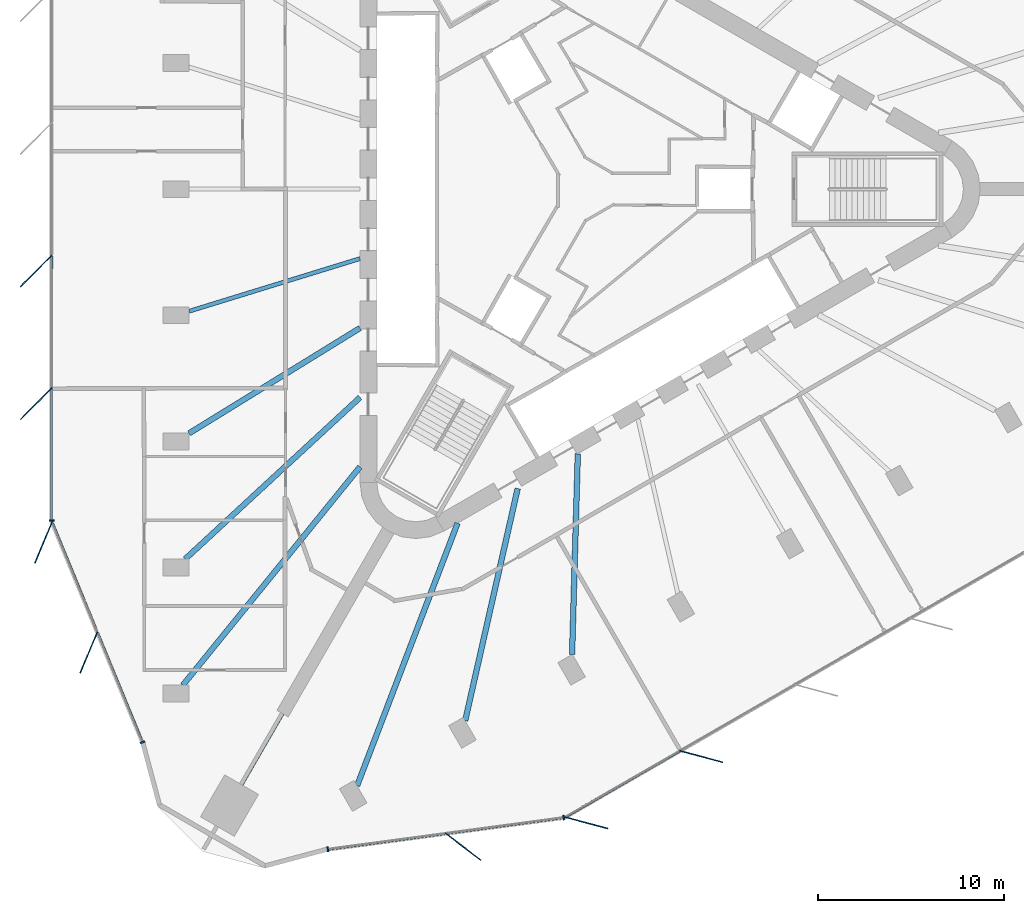
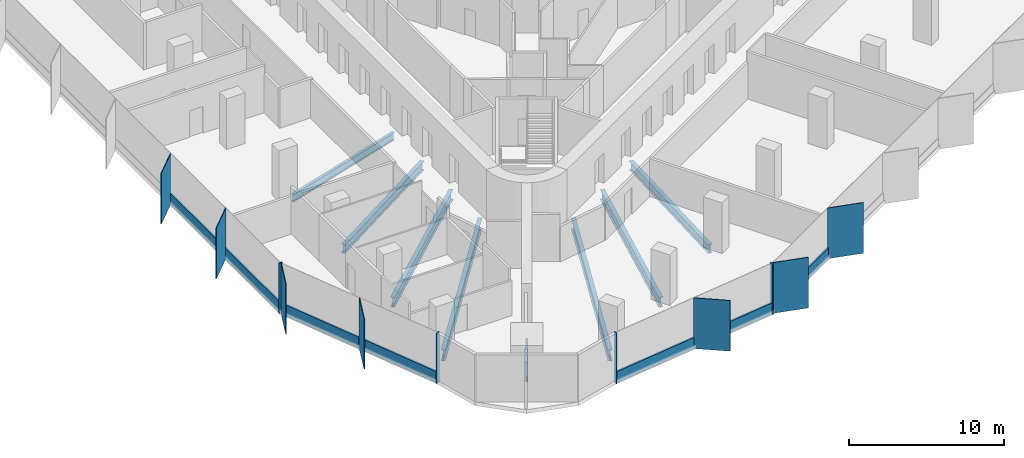
# One storey, part 2 of 14: 18 members, 8 beams, 4 elements without a shape of their own.
"""IFC4 building model written with IfcOpenShell, lengths in metres."""

from ifc_helpers import new_model, si_unit, direction, frame, origin, origin_2d, place, context, subcontext, project, spatial, rectangle, i_section, extrude, material, material_profile, profile_set, type_object, element, aggregate, save


model = new_model("IFC4")

# Units and contexts
model_context = context("Model", 3, precision=1e-05, world=origin(), true_north=direction((0.0, 1.0)))
body_context = subcontext(model_context, "Body", "Model", "MODEL_VIEW")
ifc_project = project(units=[si_unit("LENGTHUNIT", "METRE"), si_unit("AREAUNIT", "SQUARE_METRE"), si_unit("VOLUMEUNIT", "CUBIC_METRE"), si_unit("PLANEANGLEUNIT", "RADIAN"), si_unit("MASSUNIT", "GRAM", prefix="KILO")], contexts=[model_context])

# Site, building, storey
site_placement = place(None, origin())
site = spatial("IfcSite", under=ifc_project, at=site_placement, CompositionType="ELEMENT")
building_placement = place(site_placement, origin())
building = spatial("IfcBuilding", under=site, at=building_placement, Name="Tanit Gate Tower", CompositionType="ELEMENT")
storey_placement = place(building_placement, frame((0.0, 0.0, 237.199951171875)))
storey = spatial("IfcBuildingStorey", under=building, at=storey_placement, Name="L53", CompositionType="ELEMENT", Elevation=237.199951171875)

# Curtain wall, members
ifc_material_1 = material(Name="Aluminium bronze anodised and glass", Category="aluminium")
curtain_wall_type = type_object("IfcCurtainWallType", Name="Curtain wall typical mid", PredefinedType="NOTDEFINED", material=ifc_material_1)
curtain_wall_1_placement = place(storey_placement, origin())
curtain_wall_1 = element("IfcCurtainWall", 1, at=curtain_wall_1_placement, inside=storey, type_object=curtain_wall_type, Name="Curtain wall L53 W2", PredefinedType="NOTDEFINED")
ifc_material_2 = material(Name="Aluminium bronze anodised", Category="aluminium")
ifc_material_profile_1 = material_profile(ifc_material_2, rectangle(XDim=2.39990234375, YDim=0.055908203125, at=origin_2d()), Name="56x2400 bronze fin mullion")
ifc_profile_set_1 = profile_set([ifc_material_profile_1], Name="Aluminium bronze anodised")
member_type_1 = type_object("IfcMemberType", Name="FIN MULLION 56x2400 bronze", PredefinedType="MULLION", material=ifc_profile_set_1)
member_1_placement = place(storey_placement, frame((-29.48828125, -4.393798828125, -0.300048828125), z_axis=(0.0, 0.0, 1.0), x_axis=(0.707057749571, 0.707155809403, 0.0)))
member_1 = element("IfcMember", 2, at=member_1_placement, type_object=member_type_1, Name="Fin mullion L53 W2.4", PredefinedType="MULLION", context=body_context, shape_type="SweptSolid", body=[
    extrude(rectangle(XDim=2.39990234375, YDim=0.055908203125, at=origin_2d()), origin(), (0.0, 0.0, 1.0), 4.0),
])
member_2_placement = place(storey_placement, frame((-29.48779296875, -11.51416015625, -0.300048828125), z_axis=(0.0, 0.0, 1.0), x_axis=(0.707057749571, 0.707155809403, 0.0)))
member_2 = element("IfcMember", 3, at=member_2_placement, type_object=member_type_1, Name="Fin mullion L53 W2.5", PredefinedType="MULLION", context=body_context, shape_type="SweptSolid", body=[
    extrude(rectangle(XDim=2.39990234375, YDim=0.055908203125, at=origin_2d()), origin(), (0.0, 0.0, 1.0), 4.0),
])

curtain_wall_2_placement = place(storey_placement, origin())
curtain_wall_2 = element("IfcCurtainWall", 4, at=curtain_wall_2_placement, inside=storey, type_object=curtain_wall_type, Name="Curtain wall L53 W3", PredefinedType="NOTDEFINED")
member_3_placement = place(storey_placement, frame((-29.0927734375, -18.9658203125, -0.300048828125), z_axis=(0.0, 0.0, 1.0), x_axis=(0.385238181898, 0.922817177564, 0.0)))
member_3 = element("IfcMember", 5, at=member_3_placement, type_object=member_type_1, Name="Fin mullion L53 W3.1", PredefinedType="MULLION", context=body_context, shape_type="SweptSolid", body=[
    extrude(rectangle(XDim=2.39990234375, YDim=0.055908203125, at=origin_2d()), origin(), (0.0, 0.0, 1.0), 4.0),
])
member_4_placement = place(storey_placement, frame((-26.663818359375, -24.87646484375, -0.300048828125), z_axis=(0.0, 0.0, 1.0), x_axis=(0.385238181898, 0.922817177564, 0.0)))
member_4 = element("IfcMember", 6, at=member_4_placement, type_object=member_type_1, Name="Fin mullion L53 W3.2", PredefinedType="MULLION", context=body_context, shape_type="SweptSolid", body=[
    extrude(rectangle(XDim=2.39990234375, YDim=0.055908203125, at=origin_2d()), origin(), (0.0, 0.0, 1.0), 4.0),
])

# Curtain wall, member
curtain_wall_3_placement = place(storey_placement, origin())
curtain_wall_3 = element("IfcCurtainWall", 7, at=curtain_wall_3_placement, inside=storey, type_object=curtain_wall_type, Name="Curtain wall L53 SE1", PredefinedType="NOTDEFINED")
member_5_placement = place(storey_placement, frame((-6.55908203125, -35.308837890625, -0.300048828125), z_axis=(0.0, 0.0, 1.0), x_axis=(-0.794926692677, 0.606705491379, 0.0)))
member_5 = element("IfcMember", 8, at=member_5_placement, type_object=member_type_1, Name="Fin mullion L53 SE1.2", PredefinedType="MULLION", context=body_context, shape_type="SweptSolid", body=[
    extrude(rectangle(XDim=2.39990234375, YDim=0.055908203125, at=origin_2d()), origin(), (0.0, 0.0, 1.0), 4.0),
])

# Curtain wall, members
curtain_wall_4_placement = place(storey_placement, origin())
curtain_wall_4 = element("IfcCurtainWall", 9, at=curtain_wall_4_placement, inside=storey, type_object=curtain_wall_type, Name="Curtain wall L53 SE2", PredefinedType="NOTDEFINED")
member_6_placement = place(storey_placement, frame((0.050537109375, -34.022705078125, -0.300048828125), z_axis=(0.0, 0.0, 1.0), x_axis=(-0.965943770162, 0.25875206837, 0.0)))
member_6 = element("IfcMember", 10, at=member_6_placement, type_object=member_type_1, Name="Fin mullion L53 SE2.1", PredefinedType="MULLION", context=body_context, shape_type="SweptSolid", body=[
    extrude(rectangle(XDim=2.39990234375, YDim=0.055908203125, at=origin_2d()), origin(), (0.0, 0.0, 1.0), 4.0),
])
member_7_placement = place(storey_placement, frame((6.216796875, -30.462158203125, -0.300048828125), z_axis=(0.0, 0.0, 1.0), x_axis=(-0.965943770162, 0.25875206837, 0.0)))
member_7 = element("IfcMember", 11, at=member_7_placement, type_object=member_type_1, Name="Fin mullion L53 SE2.2", PredefinedType="MULLION", context=body_context, shape_type="SweptSolid", body=[
    extrude(rectangle(XDim=2.39990234375, YDim=0.055908203125, at=origin_2d()), origin(), (0.0, 0.0, 1.0), 4.0),
])

# Member
ifc_material_3 = material(Name="Aluminium bronze anodised", Category="aluminium")
ifc_material_profile_2 = material_profile(ifc_material_3, rectangle(XDim=0.260009765625, YDim=0.080078125, at=origin_2d()), Name="80x260 bronze mullion")
ifc_profile_set_2 = profile_set([ifc_material_profile_2], Name="Aluminium bronze anodised")
member_type_2 = type_object("IfcMemberType", Name="Mullion 80x260 typical mid", PredefinedType="MULLION", material=ifc_profile_set_2)
member_8_placement = place(storey_placement, frame((-28.65380859375, -17.801025390625, -0.300048828125), z_axis=(0.0, 0.0, 1.0), x_axis=(0.999999997596, 6.9338772e-05, 0.0)))
member_8 = element("IfcMember", 12, at=member_8_placement, type_object=member_type_2, Name="Mullion L53 W2.6", PredefinedType="MULLION", context=body_context, shape_type="SweptSolid", body=[
    extrude(rectangle(XDim=0.260009765625, YDim=0.080078125, at=origin_2d()), origin(), (0.0, 0.0, 1.0), 4.0),
])

member_9_placement = place(storey_placement, frame((-23.780517578125, -29.69921875, -0.300048828125), z_axis=(0.0, 0.0, 1.0), x_axis=(0.924934814843, 0.380125753259, 0.0)))
member_9 = element("IfcMember", 13, at=member_9_placement, type_object=member_type_2, Name="Mullion L53 W3.3", PredefinedType="MULLION", context=body_context, shape_type="SweptSolid", body=[
    extrude(rectangle(XDim=0.260009765625, YDim=0.080078125, at=origin_2d()), origin(), (0.0, 0.0, 1.0), 4.0),
])

member_10_placement = place(storey_placement, frame((-13.830078125, -35.444091796875, -0.300048828125), z_axis=(0.0, 0.0, 1.0), x_axis=(-0.133092487801, 0.991103622075, 0.0)))
member_10 = element("IfcMember", 14, at=member_10_placement, type_object=member_type_2, Name="Mullion L53 SE1.1", PredefinedType="MULLION", context=body_context, shape_type="SweptSolid", body=[
    extrude(rectangle(XDim=0.260009765625, YDim=0.080078125, at=origin_2d()), origin(), (0.0, 0.0, 1.0), 4.0),
])

member_11_placement = place(storey_placement, frame((-1.162353515625, -33.742919921875, -0.300048828125), z_axis=(0.0, 0.0, 1.0), x_axis=(-0.133092487801, 0.991103622075, 0.0)))
member_11 = element("IfcMember", 15, at=member_11_placement, type_object=member_type_2, Name="Mullion L53 SE1.3", PredefinedType="MULLION", context=body_context, shape_type="SweptSolid", body=[
    extrude(rectangle(XDim=0.260009765625, YDim=0.080078125, at=origin_2d()), origin(), (0.0, 0.0, 1.0), 4.0),
])

# Beams
ifc_material_4 = material(Name="Steel S355", Category="steel")
ifc_material_profile_3 = material_profile(ifc_material_4, i_section(OverallWidth=0.300048828125, OverallDepth=0.68994140625, WebThickness=0.014404296875, FlangeThickness=0.027099609375, FilletRadius=0.027099609375, at=origin_2d()), Name="HEA 700")
ifc_profile_set_3 = profile_set([ifc_material_profile_3], Name="Steel S355")
beam_type_1 = type_object("IfcBeamType", Name="RADIAL GIRDER HEA 700 S355", PredefinedType="BEAM", material=ifc_profile_set_3)
for number, where, z_axis, x_axis, name in (
    (16, (-21.279296875, -13.110595703125, -0.64501953125), (0.851378241131, 0.524552276259, 0.0), (-0.524552276259, 0.851378241131, 0.0), "RADIAL GIRDER"),
    (17, (-0.714599609375, -24.983642578125, -0.64501953125), (0.028583051014, 0.999591421129, 0.0), (-0.999591421129, 0.028583051014, 0.0), "RADIAL GIRDER"),
):
    element("IfcBeam", number, at=place(storey_placement, frame(where, z_axis=z_axis, x_axis=x_axis)), inside=storey, type_object=beam_type_1, Name=name, PredefinedType="BEAM", context=body_context, shape_type="SweptSolid", body=[
        extrude(i_section(OverallWidth=0.300048828125, OverallDepth=0.68994140625, WebThickness=0.014404296875, FlangeThickness=0.027099609375, FilletRadius=0.027099609375, at=origin_2d()), origin(), (0.0, 0.0, 1.0), 10.779296875),
    ])
ifc_material_5 = material(Name="Steel S355", Category="steel")
ifc_material_profile_4 = material_profile(ifc_material_5, i_section(OverallWidth=0.300048828125, OverallDepth=0.7900390625, WebThickness=0.014892578125, FlangeThickness=0.028076171875, FilletRadius=0.030029296875, at=origin_2d()), Name="HEA 800")
ifc_profile_set_4 = profile_set([ifc_material_profile_4], Name="Steel S355")
beam_type_2 = type_object("IfcBeamType", Name="RADIAL GIRDER HEA 800 S355", PredefinedType="BEAM", material=ifc_profile_set_4)
for number, where, z_axis, x_axis, name in (
    (18, (-21.4921875, -19.86279296875, -0.695068359375), (0.734397761649, 0.678719329093, 0.0), (-0.678719329093, 0.734397761649, 0.0), "RADIAL GIRDER"),
    (19, (-6.45556640625, -28.544189453125, -0.695068359375), (0.220594325016, 0.975365646192, 0.0), (-0.975365646192, 0.220594325016, 0.0), "RADIAL GIRDER"),
):
    element("IfcBeam", number, at=place(storey_placement, frame(where, z_axis=z_axis, x_axis=x_axis)), inside=storey, type_object=beam_type_2, Name=name, PredefinedType="BEAM", context=body_context, shape_type="SweptSolid", body=[
        extrude(i_section(OverallWidth=0.300048828125, OverallDepth=0.7900390625, WebThickness=0.014892578125, FlangeThickness=0.028076171875, FilletRadius=0.030029296875, at=origin_2d()), origin(), (0.0, 0.0, 1.0), 12.7861328125),
    ])
ifc_material_6 = material(Name="Steel S355", Category="steel")
ifc_material_profile_5 = material_profile(ifc_material_6, i_section(OverallWidth=0.300048828125, OverallDepth=0.889892578125, WebThickness=0.01611328125, FlangeThickness=0.030029296875, FilletRadius=0.030029296875, at=origin_2d()), Name="HEA 900")
ifc_profile_set_5 = profile_set([ifc_material_profile_5], Name="Steel S355")
beam_type_3 = type_object("IfcBeamType", Name="RADIAL GIRDER HEA 900 S355", PredefinedType="BEAM", material=ifc_profile_set_5)
for number, where, z_axis, x_axis, name in (
    (20, (-21.614013671875, -26.6337890625, -0.744873046875), (0.630133417388, 0.776486880952, 0.0), (-0.776486880952, 0.630133417388, 0.0), "RADIAL GIRDER"),
    (21, (-12.2587890625, -32.03515625, -0.744873046875), (0.357400572527, 0.93395119292, 0.0), (-0.93395119292, 0.357400572527, 0.0), "RADIAL GIRDER"),
):
    element("IfcBeam", number, at=place(storey_placement, frame(where, z_axis=z_axis, x_axis=x_axis)), inside=storey, type_object=beam_type_3, Name=name, PredefinedType="BEAM", context=body_context, shape_type="SweptSolid", body=[
        extrude(i_section(OverallWidth=0.300048828125, OverallDepth=0.889892578125, WebThickness=0.01611328125, FlangeThickness=0.030029296875, FilletRadius=0.030029296875, at=origin_2d()), origin(), (0.0, 0.0, 1.0), 15.09521484375),
    ])
ifc_material_7 = material(Name="Steel S355", Category="steel")
ifc_material_profile_6 = material_profile(ifc_material_7, i_section(OverallWidth=0.179931640625, OverallDepth=0.39990234375, WebThickness=0.008544921875, FlangeThickness=0.013427734375, FilletRadius=0.02099609375, at=origin_2d()), Name="IPE 400")
ifc_profile_set_6 = profile_set([ifc_material_profile_6], Name="Steel S355")
beam_type_4 = type_object("IfcBeamType", Name="RADIAL GIRDER IPE 400 S355", PredefinedType="BEAM", material=ifc_profile_set_6)
beam_1_placement = place(storey_placement, frame((-18.459716796875, -31.973388671875, -0.5), z_axis=(0.499992938033, 0.866029480975, 0.0), x_axis=(-0.866029480975, 0.499992938033, 0.0)))
element("IfcBeam", 22, at=beam_1_placement, inside=storey, type_object=beam_type_4, Name="RADIAL GIRDER", PredefinedType="BEAM", context=body_context, shape_type="SweptSolid", body=[
    extrude(i_section(OverallWidth=0.179931640625, OverallDepth=0.39990234375, WebThickness=0.008544921875, FlangeThickness=0.013427734375, FilletRadius=0.02099609375, at=origin_2d()), origin(), (0.0, 0.0, 1.0), 4.4013671875),
])
ifc_material_8 = material(Name="Steel S355", Category="steel")
ifc_material_profile_7 = material_profile(ifc_material_8, i_section(OverallWidth=0.219970703125, OverallDepth=0.60009765625, WebThickness=0.011962890625, FlangeThickness=0.01904296875, FilletRadius=0.02392578125, at=origin_2d()), Name="IPE 600")
ifc_profile_set_7 = profile_set([ifc_material_profile_7], Name="Steel S355")
beam_type_5 = type_object("IfcBeamType", Name="RADIAL GIRDER IPE 600 S355", PredefinedType="BEAM", material=ifc_profile_set_7)
beam_2_placement = place(storey_placement, frame((-21.279296875, -6.555419921875, -0.599853515625), z_axis=(0.955680008009, 0.294407408692, 0.0), x_axis=(-0.294407408692, 0.955680008009, 0.0)))
element("IfcBeam", 23, at=beam_2_placement, inside=storey, type_object=beam_type_5, Name="RADIAL GIRDER", PredefinedType="BEAM", context=body_context, shape_type="SweptSolid", body=[
    extrude(i_section(OverallWidth=0.219970703125, OverallDepth=0.60009765625, WebThickness=0.011962890625, FlangeThickness=0.01904296875, FilletRadius=0.02392578125, at=origin_2d()), origin(), (0.0, 0.0, 1.0), 9.602783203125),
])

# Member
ifc_material_9 = material(Name="Aluminium bronze anodised", Category="aluminium")
ifc_material_profile_8 = material_profile(ifc_material_9, rectangle(XDim=0.139892578125, YDim=0.89990234375, at=origin_2d()), Name="140x900 bronze transom")
ifc_profile_set_8 = profile_set([ifc_material_profile_8], Name="Aluminium bronze anodised")
member_type_3 = type_object("IfcMemberType", Name="Transom 140x900 typical mid", PredefinedType="USERDEFINED", material=ifc_profile_set_8)
member_12_placement = place(storey_placement, frame((-28.65478515625, -3.60009765625, 0.150146484375), z_axis=(6.9352937e-05, -0.999999997595, 0.0), x_axis=(0.999999997595, 6.9352937e-05, 0.0)))
member_12 = element("IfcMember", 24, at=member_12_placement, type_object=member_type_3, Name="Transom L53 W2.4", ObjectType="TRANSOM", PredefinedType="USERDEFINED", context=body_context, shape_type="SweptSolid", body=[
    extrude(rectangle(XDim=0.139892578125, YDim=0.89990234375, at=origin_2d()), origin(), (0.0, 0.0, 1.0), 7.04052734375),
])

member_13_placement = place(storey_placement, frame((-28.654296875, -10.720703125, 0.150146484375), z_axis=(6.9355342e-05, -0.999999997595, 0.0), x_axis=(0.999999997595, 6.9355342e-05, 0.0)))
member_13 = element("IfcMember", 25, at=member_13_placement, type_object=member_type_3, Name="Transom L53 W2.5", ObjectType="TRANSOM", PredefinedType="USERDEFINED", context=body_context, shape_type="SweptSolid", body=[
    extrude(rectangle(XDim=0.139892578125, YDim=0.89990234375, at=origin_2d()), origin(), (0.0, 0.0, 1.0), 7.040283203125),
])

aggregate(curtain_wall_1, [member_1, member_2, member_8, member_12, member_13])

member_14_placement = place(storey_placement, frame((-28.62353515625, -17.9150390625, 0.150146484375), z_axis=(0.380119246598, -0.924937488896, 0.0), x_axis=(0.924937488896, 0.380119246598, 0.0)))
member_14 = element("IfcMember", 26, at=member_14_placement, type_object=member_type_3, Name="Transom L53 W3.1", ObjectType="TRANSOM", PredefinedType="USERDEFINED", context=body_context, shape_type="SweptSolid", body=[
    extrude(rectangle(XDim=0.139892578125, YDim=0.89990234375, at=origin_2d()), origin(), (0.0, 0.0, 1.0), 6.310302734375),
])

member_15_placement = place(storey_placement, frame((-26.1943359375, -23.82568359375, 0.150146484375), z_axis=(0.380119246598, -0.924937488896, 0.0), x_axis=(0.924937488896, 0.380119246598, 0.0)))
member_15 = element("IfcMember", 27, at=member_15_placement, type_object=member_type_3, Name="Transom L53 W3.2", ObjectType="TRANSOM", PredefinedType="USERDEFINED", context=body_context, shape_type="SweptSolid", body=[
    extrude(rectangle(XDim=0.139892578125, YDim=0.89990234375, at=origin_2d()), origin(), (0.0, 0.0, 1.0), 6.310302734375),
])

aggregate(curtain_wall_2, [member_3, member_4, member_9, member_14, member_15])

member_16_placement = place(storey_placement, frame((-13.790283203125, -35.438720703125, 0.150146484375), z_axis=(0.991104481394, 0.133086088531, 0.0), x_axis=(-0.133086088531, 0.991104481394, 0.0)))
member_16 = element("IfcMember", 28, at=member_16_placement, type_object=member_type_3, Name="Transom L53 SE1.1", ObjectType="TRANSOM", PredefinedType="USERDEFINED", context=body_context, shape_type="SweptSolid", body=[
    extrude(rectangle(XDim=0.139892578125, YDim=0.89990234375, at=origin_2d()), origin(), (0.0, 0.0, 1.0), 6.310546875),
])

member_17_placement = place(storey_placement, frame((-7.45654296875, -34.588134765625, 0.150146484375), z_axis=(0.99110516659, 0.133080985716, 0.0), x_axis=(-0.133080985716, 0.99110516659, 0.0)))
member_17 = element("IfcMember", 29, at=member_17_placement, type_object=member_type_3, Name="Transom L53 SE1.2", ObjectType="TRANSOM", PredefinedType="USERDEFINED", context=body_context, shape_type="SweptSolid", body=[
    extrude(rectangle(XDim=0.139892578125, YDim=0.89990234375, at=origin_2d()), origin(), (0.0, 0.0, 1.0), 6.310791015625),
])

aggregate(curtain_wall_3, [member_10, member_5, member_11, member_16, member_17])

member_18_placement = place(storey_placement, frame((-1.053466796875, -33.69775390625, 0.150146484375), z_axis=(0.865982880904, 0.500073644557, 0.0), x_axis=(-0.500073644557, 0.865982880904, 0.0)))
member_18 = element("IfcMember", 30, at=member_18_placement, type_object=member_type_3, Name="Transom L53 SE2.1", ObjectType="TRANSOM", PredefinedType="USERDEFINED", context=body_context, shape_type="SweptSolid", body=[
    extrude(rectangle(XDim=0.139892578125, YDim=0.89990234375, at=origin_2d()), origin(), (0.0, 0.0, 1.0), 7.04052734375),
])

aggregate(curtain_wall_4, [member_6, member_7, member_18])

save(model, "model.ifc")
